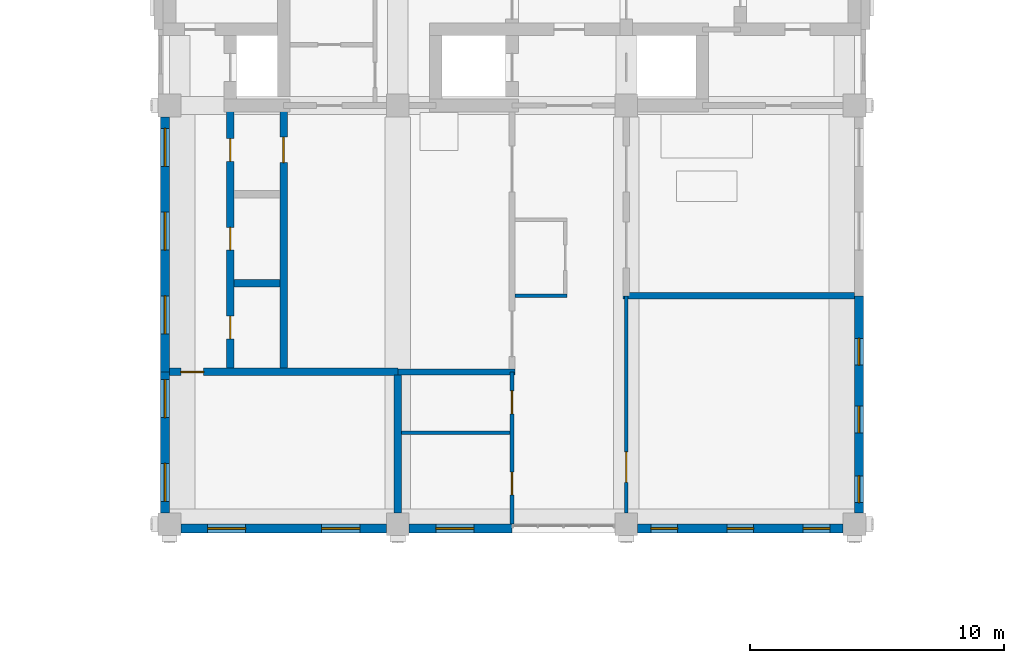
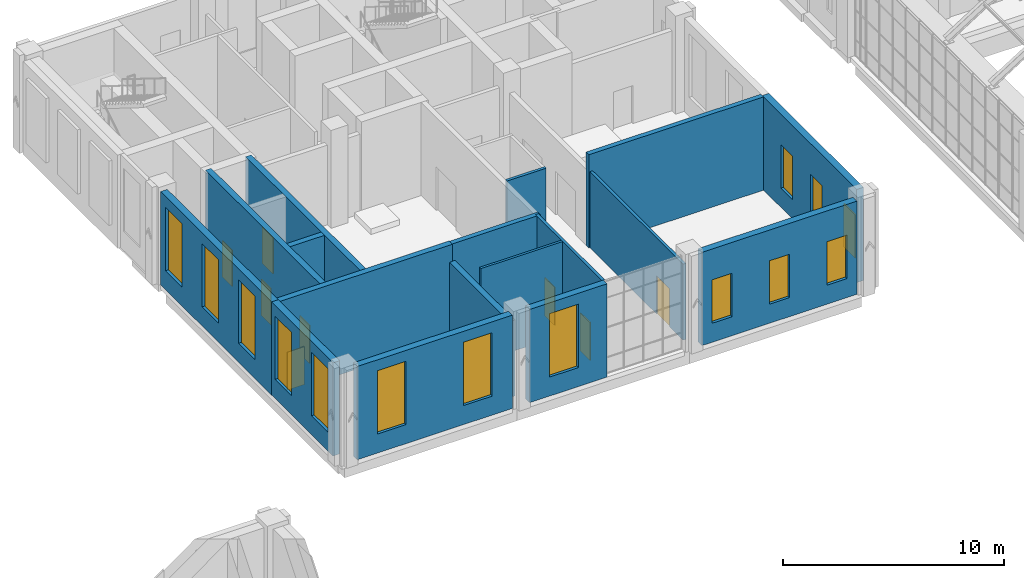
# One storey, part 27 of 39: 17 walls, 14 windows, 8 doors, 22 openings.
"""IFC4 building model written with IfcOpenShell, lengths in metres."""

from ifc_helpers import new_model, si_unit, direction, frame, frame_2d, origin, place, context, subcontext, project, spatial, rectangle, extrude, material, layer, layer_set, type_object, element, fill, save


model = new_model("IFC4")

# Units and contexts
model_context = context("Model", 3, precision=1e-05, world=origin(), true_north=direction((0.0, 1.0)))
body_context = subcontext(model_context, "Body", "Model", "MODEL_VIEW")
ifc_project = project(units=[si_unit("LENGTHUNIT", "METRE"), si_unit("AREAUNIT", "SQUARE_METRE"), si_unit("VOLUMEUNIT", "CUBIC_METRE"), si_unit("PLANEANGLEUNIT", "RADIAN"), si_unit("MASSUNIT", "GRAM", prefix="KILO")], contexts=[model_context])

# Site, building, storey
site_placement = place(None, origin())
site = spatial("IfcSite", under=ifc_project, at=site_placement, CompositionType="ELEMENT")
building_placement = place(site_placement, origin())
building = spatial("IfcBuilding", under=site, at=building_placement, Name="Aurelan Courthouse", CompositionType="ELEMENT")
storey_placement = place(building_placement, frame((0.0, 0.0, 28.199951171875)))
storey = spatial("IfcBuildingStorey", under=building, at=storey_placement, Name="L05", CompositionType="ELEMENT", Elevation=28.199951171875)

# Wall
ifc_material_1 = material(Name="Gypsum board on metal studs")
ifc_layer_1 = layer(ifc_material_1, 0.14990234375)
ifc_layer_set_1 = layer_set([ifc_layer_1], Name="Gypsum board on metal studs")
wall_type_1 = type_object("IfcWallType", Name="Corridor partition 150 EI 60", PredefinedType="PARTITIONING", material=ifc_layer_set_1)
wall_1_placement = place(storey_placement, frame((49.625, 46.5, 0.0), z_axis=(0.0, 0.0, 1.0), x_axis=(1.0, 0.0, 0.0)))
element("IfcWall", 1, at=wall_1_placement, inside=storey, type_object=wall_type_1, Name="Corridor partition L05-017", PredefinedType="PARTITIONING", context=body_context, shape_type="SweptSolid", body=[
    extrude(rectangle(XDim=2.050048828125, YDim=0.14990234375, at=frame_2d((1.02490234375, 0.0))), origin(), (0.0, 0.0, 1.0), 5.150146484375),
])

# Wall, openings, doors
wall_2_placement = place(storey_placement, frame((49.5, 37.5, 0.0), z_axis=(0.0, 0.0, 1.0), x_axis=(0.0, 1.0, 0.0)))
wall_2 = element("IfcWall", 2, at=wall_2_placement, inside=storey, type_object=wall_type_1, Name="Corridor partition L05-055", PredefinedType="PARTITIONING", context=body_context, shape_type="SweptSolid", body=[
    extrude(rectangle(XDim=6.0, YDim=0.14990234375, at=frame_2d((3.0, 0.0))), origin(), (0.0, 0.0, 1.0), 5.150146484375),
])
opening_1_placement = place(wall_2_placement, frame((1.14990234375, 0.0, 0.0)))
opening_1 = element("IfcOpeningElement", 3, at=opening_1_placement, cuts=wall_2, Name="Opening D-L05-021", PredefinedType="OPENING", context=body_context, shape_type="SweptSolid", body=[
    extrude(rectangle(XDim=0.89990234375, YDim=2.10009765625, at=frame_2d((0.449951171875, 1.050048828125))), frame((0.0, 0.0849609375, 0.0), z_axis=(0.0, -1.0, 0.0), x_axis=(1.0, 0.0, 0.0)), (0.0, 0.0, 1.0), 0.169921875),
])
opening_2_placement = place(wall_2_placement, frame((4.35009765625, 0.0, 0.0)))
opening_2 = element("IfcOpeningElement", 4, at=opening_2_placement, cuts=wall_2, Name="Opening D-L05-022", PredefinedType="OPENING", context=body_context, shape_type="SweptSolid", body=[
    extrude(rectangle(XDim=0.89990234375, YDim=2.10009765625, at=frame_2d((0.449951171875, 1.050048828125))), frame((0.0, 0.0849609375, 0.0), z_axis=(0.0, -1.0, 0.0), x_axis=(1.0, 0.0, 0.0)), (0.0, 0.0, 1.0), 0.169921875),
])
ifc_material_2 = material(Name="Steel", Category="steel")
door_type_1 = type_object("IfcDoorType", Name="Single door 900 x 2100 FD60", OperationType="SINGLE_SWING_LEFT", PredefinedType="DOOR", material=ifc_material_2)
door_1_placement = place(opening_1_placement, origin())
door_1 = element("IfcDoor", 5, at=door_1_placement, inside=storey, type_object=door_type_1, Name="Single door D-L05-021", OperationType="SINGLE_SWING_LEFT", OverallHeight=2.10009765625, OverallWidth=0.89990234375, PredefinedType="DOOR", context=body_context, shape_type="SweptSolid", body=[
    extrude(rectangle(XDim=0.89990234375, YDim=2.10009765625, at=frame_2d((0.449951171875, 1.050048828125))), frame((0.0, 0.02490234375, 0.0), z_axis=(0.0, -1.0, 0.0), x_axis=(1.0, 0.0, 0.0)), (0.0, 0.0, 1.0), 0.050048828125),
])
fill(opening_1, door_1)
door_2_placement = place(opening_2_placement, origin())
door_2 = element("IfcDoor", 6, at=door_2_placement, inside=storey, type_object=door_type_1, Name="Single door D-L05-022", OperationType="SINGLE_SWING_LEFT", OverallHeight=2.10009765625, OverallWidth=0.89990234375, PredefinedType="DOOR", context=body_context, shape_type="SweptSolid", body=[
    extrude(rectangle(XDim=0.89990234375, YDim=2.10009765625, at=frame_2d((0.449951171875, 1.050048828125))), frame((0.0, 0.02490234375, 0.0), z_axis=(0.0, -1.0, 0.0), x_axis=(1.0, 0.0, 0.0)), (0.0, 0.0, 1.0), 0.050048828125),
])
fill(opening_2, door_2)

# Wall, opening, door
wall_3_placement = place(storey_placement, frame((54.0, 37.949951171875, 0.0), z_axis=(0.0, 0.0, 1.0), x_axis=(0.0, 1.0, 0.0)))
wall_3 = element("IfcWall", 7, at=wall_3_placement, inside=storey, type_object=wall_type_1, Name="Corridor partition L05-058", PredefinedType="PARTITIONING", context=body_context, shape_type="SweptSolid", body=[
    extrude(rectangle(XDim=8.550048828125, YDim=0.14990234375, at=frame_2d((4.27490234375, 0.0))), origin(), (0.0, 0.0, 1.0), 4.199951171875),
])
opening_3_placement = place(wall_3_placement, frame((2.39990234375, 0.0, 0.0), z_axis=(0.0, 0.0, 1.0), x_axis=(-1.0, 0.0, 0.0)))
opening_3 = element("IfcOpeningElement", 8, at=opening_3_placement, cuts=wall_3, Name="Opening D-L05-023", PredefinedType="OPENING", context=body_context, shape_type="SweptSolid", body=[
    extrude(rectangle(XDim=1.199951171875, YDim=2.10009765625, at=frame_2d((0.60009765625, 1.050048828125))), frame((0.0, 0.0849609375, 0.0), z_axis=(0.0, -1.0, 0.0), x_axis=(1.0, 0.0, 0.0)), (0.0, 0.0, 1.0), 0.169921875),
])
door_type_2 = type_object("IfcDoorType", Name="Single door 1200 x 2100 FD60", OperationType="SINGLE_SWING_LEFT", PredefinedType="DOOR", material=ifc_material_2)
door_3_placement = place(opening_3_placement, origin())
door_3 = element("IfcDoor", 9, at=door_3_placement, inside=storey, type_object=door_type_2, Name="Single door D-L05-023", OperationType="SINGLE_SWING_RIGHT", OverallHeight=2.10009765625, OverallWidth=1.199951171875, PredefinedType="DOOR", context=body_context, shape_type="SweptSolid", body=[
    extrude(rectangle(XDim=1.199951171875, YDim=2.10009765625, at=frame_2d((0.60009765625, 1.050048828125))), frame((0.0, 0.02490234375, 0.0), z_axis=(0.0, -1.0, 0.0), x_axis=(1.0, 0.0, 0.0)), (0.0, 0.0, 1.0), 0.050048828125),
])
fill(opening_3, door_3)

# Wall, openings, windows
ifc_material_3 = material(Name="Limestone cladding", Category="masonry")
ifc_layer_2 = layer(ifc_material_3, 0.10009765625, Name="Facing")
ifc_material_4 = material(Name="Ventilated cavity")
ifc_layer_3 = layer(ifc_material_4, 0.02490234375, ventilated=True, Name="Ventilated cavity")
ifc_material_5 = material(Name="Mineral wool insulation")
ifc_layer_4 = layer(ifc_material_5, 0.050048828125, Name="Insulation")
ifc_material_6 = material(Name="Concrete C30", Category="concrete")
ifc_layer_5 = layer(ifc_material_6, 0.175048828125, Name="Structure")
ifc_layer_set_2 = layer_set([ifc_layer_2, ifc_layer_3, ifc_layer_4, ifc_layer_5], Name="Concrete C30")
wall_type_2 = type_object("IfcWallType", Name="Courtroom Block stone-faced wall 350", PredefinedType="SOLIDWALL", material=ifc_layer_set_2)
wall_4_placement = place(storey_placement, frame((36.449951171875, 37.324951171875, 0.0), z_axis=(0.0, 0.0, 1.0), x_axis=(1.0, 0.0, 0.0)))
wall_4 = element("IfcWall", 10, at=wall_4_placement, inside=storey, type_object=wall_type_2, Name="Facade wall FW-V2-L05-001", PredefinedType="SOLIDWALL", context=body_context, shape_type="SweptSolid", body=[
    extrude(rectangle(XDim=8.10009765625, YDim=0.35009765625, at=frame_2d((4.050048828125, 0.0))), origin(), (0.0, 0.0, 1.0), 5.150146484375),
])
opening_4_placement = place(wall_4_placement, frame((1.050048828125, 0.0, 1.050048828125)))
opening_4 = element("IfcOpeningElement", 11, at=opening_4_placement, cuts=wall_4, Name="Opening WN-V2-L05-001", PredefinedType="OPENING", context=body_context, shape_type="SweptSolid", body=[
    extrude(rectangle(XDim=1.5, YDim=3.5, at=frame_2d((0.75, 1.75))), frame((0.0, 0.18505859375, 0.0), z_axis=(0.0, -1.0, 0.0), x_axis=(1.0, 0.0, 0.0)), (0.0, 0.0, 1.0), 0.3701171875),
])
opening_5_placement = place(wall_4_placement, frame((5.550048828125, 0.0, 1.050048828125)))
opening_5 = element("IfcOpeningElement", 12, at=opening_5_placement, cuts=wall_4, Name="Opening WN-V2-L05-002", PredefinedType="OPENING", context=body_context, shape_type="SweptSolid", body=[
    extrude(rectangle(XDim=1.5, YDim=3.5, at=frame_2d((0.75, 1.75))), frame((0.0, 0.18505859375, 0.0), z_axis=(0.0, -1.0, 0.0), x_axis=(1.0, 0.0, 0.0)), (0.0, 0.0, 1.0), 0.3701171875),
])
ifc_material_7 = material(Name="Bronze-finished aluminium and glass", Category="aluminium")
window_type_1 = type_object("IfcWindowType", Name="Courtroom Block glazed slot 1500 x 3500, sill 1050", PartitioningType="SINGLE_PANEL", PredefinedType="WINDOW", material=ifc_material_7)
window_1_placement = place(opening_4_placement, origin())
window_1 = element("IfcWindow", 13, at=window_1_placement, inside=storey, type_object=window_type_1, Name="Glazed slot WN-V2-L05-001", OverallHeight=3.5, OverallWidth=1.5, PartitioningType="SINGLE_PANEL", PredefinedType="WINDOW", context=body_context, shape_type="SweptSolid", body=[
    extrude(rectangle(XDim=1.5, YDim=3.5, at=frame_2d((0.75, 1.75))), frame((0.0, 0.030029296875, 0.0), z_axis=(0.0, -1.0, 0.0), x_axis=(1.0, 0.0, 0.0)), (0.0, 0.0, 1.0), 0.06005859375),
])
fill(opening_4, window_1)
window_2_placement = place(opening_5_placement, origin())
window_2 = element("IfcWindow", 14, at=window_2_placement, inside=storey, type_object=window_type_1, Name="Glazed slot WN-V2-L05-002", OverallHeight=3.5, OverallWidth=1.5, PartitioningType="SINGLE_PANEL", PredefinedType="WINDOW", context=body_context, shape_type="SweptSolid", body=[
    extrude(rectangle(XDim=1.5, YDim=3.5, at=frame_2d((0.75, 1.75))), frame((0.0, 0.030029296875, 0.0), z_axis=(0.0, -1.0, 0.0), x_axis=(1.0, 0.0, 0.0)), (0.0, 0.0, 1.0), 0.06005859375),
])
fill(opening_5, window_2)

# Wall, opening, window
wall_5_placement = place(storey_placement, frame((45.449951171875, 37.324951171875, 0.0), z_axis=(0.0, 0.0, 1.0), x_axis=(1.0, 0.0, 0.0)))
wall_5 = element("IfcWall", 15, at=wall_5_placement, inside=storey, type_object=wall_type_2, Name="Facade wall FW-V2-L05-002", PredefinedType="SOLIDWALL", context=body_context, shape_type="SweptSolid", body=[
    extrude(rectangle(XDim=4.050048828125, YDim=0.35009765625, at=frame_2d((2.02490234375, 0.0))), origin(), (0.0, 0.0, 1.0), 5.150146484375),
])
opening_6_placement = place(wall_5_placement, frame((1.050048828125, 0.0, 1.050048828125)))
opening_6 = element("IfcOpeningElement", 16, at=opening_6_placement, cuts=wall_5, Name="Opening WN-V2-L05-003", PredefinedType="OPENING", context=body_context, shape_type="SweptSolid", body=[
    extrude(rectangle(XDim=1.5, YDim=3.5, at=frame_2d((0.75, 1.75))), frame((0.0, 0.18505859375, 0.0), z_axis=(0.0, -1.0, 0.0), x_axis=(1.0, 0.0, 0.0)), (0.0, 0.0, 1.0), 0.3701171875),
])
window_3_placement = place(opening_6_placement, origin())
window_3 = element("IfcWindow", 17, at=window_3_placement, inside=storey, type_object=window_type_1, Name="Glazed slot WN-V2-L05-003", OverallHeight=3.5, OverallWidth=1.5, PartitioningType="SINGLE_PANEL", PredefinedType="WINDOW", context=body_context, shape_type="SweptSolid", body=[
    extrude(rectangle(XDim=1.5, YDim=3.5, at=frame_2d((0.75, 1.75))), frame((0.0, 0.030029296875, 0.0), z_axis=(0.0, -1.0, 0.0), x_axis=(1.0, 0.0, 0.0)), (0.0, 0.0, 1.0), 0.06005859375),
])
fill(opening_6, window_3)

# Wall, openings, windows
wall_6_placement = place(storey_placement, frame((54.449951171875, 37.324951171875, 0.0), z_axis=(0.0, 0.0, 1.0), x_axis=(1.0, 0.0, 0.0)))
wall_6 = element("IfcWall", 18, at=wall_6_placement, inside=storey, type_object=wall_type_2, Name="Facade wall FW-V2-L05-003", PredefinedType="SOLIDWALL", context=body_context, shape_type="SweptSolid", body=[
    extrude(rectangle(XDim=8.10009765625, YDim=0.35009765625, at=frame_2d((4.050048828125, 0.0))), origin(), (0.0, 0.0, 1.0), 5.150146484375),
])
opening_7_placement = place(wall_6_placement, frame((0.52490234375, 0.0, 1.050048828125)))
opening_7 = element("IfcOpeningElement", 19, at=opening_7_placement, cuts=wall_6, Name="Opening WN-V2-L05-004", PredefinedType="OPENING", context=body_context, shape_type="SweptSolid", body=[
    extrude(rectangle(XDim=1.050048828125, YDim=2.39990234375, at=frame_2d((0.52490234375, 1.199951171875))), frame((0.0, 0.18505859375, 0.0), z_axis=(0.0, -1.0, 0.0), x_axis=(1.0, 0.0, 0.0)), (0.0, 0.0, 1.0), 0.3701171875),
])
opening_8_placement = place(wall_6_placement, frame((3.52490234375, 0.0, 1.050048828125)))
opening_8 = element("IfcOpeningElement", 20, at=opening_8_placement, cuts=wall_6, Name="Opening WN-V2-L05-005", PredefinedType="OPENING", context=body_context, shape_type="SweptSolid", body=[
    extrude(rectangle(XDim=1.050048828125, YDim=2.39990234375, at=frame_2d((0.52490234375, 1.199951171875))), frame((0.0, 0.18505859375, 0.0), z_axis=(0.0, -1.0, 0.0), x_axis=(1.0, 0.0, 0.0)), (0.0, 0.0, 1.0), 0.3701171875),
])
opening_9_placement = place(wall_6_placement, frame((6.52490234375, 0.0, 1.050048828125)))
opening_9 = element("IfcOpeningElement", 21, at=opening_9_placement, cuts=wall_6, Name="Opening WN-V2-L05-006", PredefinedType="OPENING", context=body_context, shape_type="SweptSolid", body=[
    extrude(rectangle(XDim=1.050048828125, YDim=2.39990234375, at=frame_2d((0.52490234375, 1.199951171875))), frame((0.0, 0.18505859375, 0.0), z_axis=(0.0, -1.0, 0.0), x_axis=(1.0, 0.0, 0.0)), (0.0, 0.0, 1.0), 0.3701171875),
])
window_type_2 = type_object("IfcWindowType", Name="Courtroom Block window 1050 x 2400, sill 1050", PartitioningType="SINGLE_PANEL", PredefinedType="WINDOW", material=ifc_material_7)
window_4_placement = place(opening_7_placement, origin())
window_4 = element("IfcWindow", 22, at=window_4_placement, inside=storey, type_object=window_type_2, Name="Window WN-V2-L05-004", OverallHeight=2.39990234375, OverallWidth=1.050048828125, PartitioningType="SINGLE_PANEL", PredefinedType="WINDOW", context=body_context, shape_type="SweptSolid", body=[
    extrude(rectangle(XDim=1.050048828125, YDim=2.39990234375, at=frame_2d((0.52490234375, 1.199951171875))), frame((0.0, 0.030029296875, 0.0), z_axis=(0.0, -1.0, 0.0), x_axis=(1.0, 0.0, 0.0)), (0.0, 0.0, 1.0), 0.06005859375),
])
fill(opening_7, window_4)
window_5_placement = place(opening_8_placement, origin())
window_5 = element("IfcWindow", 23, at=window_5_placement, inside=storey, type_object=window_type_2, Name="Window WN-V2-L05-005", OverallHeight=2.39990234375, OverallWidth=1.050048828125, PartitioningType="SINGLE_PANEL", PredefinedType="WINDOW", context=body_context, shape_type="SweptSolid", body=[
    extrude(rectangle(XDim=1.050048828125, YDim=2.39990234375, at=frame_2d((0.52490234375, 1.199951171875))), frame((0.0, 0.030029296875, 0.0), z_axis=(0.0, -1.0, 0.0), x_axis=(1.0, 0.0, 0.0)), (0.0, 0.0, 1.0), 0.06005859375),
])
fill(opening_8, window_5)
window_6_placement = place(opening_9_placement, origin())
window_6 = element("IfcWindow", 24, at=window_6_placement, inside=storey, type_object=window_type_2, Name="Window WN-V2-L05-006", OverallHeight=2.39990234375, OverallWidth=1.050048828125, PartitioningType="SINGLE_PANEL", PredefinedType="WINDOW", context=body_context, shape_type="SweptSolid", body=[
    extrude(rectangle(XDim=1.050048828125, YDim=2.39990234375, at=frame_2d((0.52490234375, 1.199951171875))), frame((0.0, 0.030029296875, 0.0), z_axis=(0.0, -1.0, 0.0), x_axis=(1.0, 0.0, 0.0)), (0.0, 0.0, 1.0), 0.06005859375),
])
fill(opening_9, window_6)

wall_7_placement = place(storey_placement, frame((63.175048828125, 37.949951171875, 0.0), z_axis=(0.0, 0.0, 1.0), x_axis=(0.0, 1.0, 0.0)))
wall_7 = element("IfcWall", 25, at=wall_7_placement, inside=storey, type_object=wall_type_2, Name="Facade wall FW-V2-L05-007", PredefinedType="SOLIDWALL", context=body_context, shape_type="SweptSolid", body=[
    extrude(rectangle(XDim=8.550048828125, YDim=0.35009765625, at=frame_2d((4.27490234375, 0.0))), origin(), (0.0, 0.0, 1.0), 5.150146484375),
])
opening_10_placement = place(wall_7_placement, frame((0.39990234375, 0.0, 1.050048828125)))
opening_10 = element("IfcOpeningElement", 26, at=opening_10_placement, cuts=wall_7, Name="Opening WN-V2-L05-009", PredefinedType="OPENING", context=body_context, shape_type="SweptSolid", body=[
    extrude(rectangle(XDim=1.050048828125, YDim=2.39990234375, at=frame_2d((0.52490234375, 1.199951171875))), frame((0.0, 0.18505859375, 0.0), z_axis=(0.0, -1.0, 0.0), x_axis=(1.0, 0.0, 0.0)), (0.0, 0.0, 1.0), 0.3701171875),
])
opening_11_placement = place(wall_7_placement, frame((3.14990234375, 0.0, 1.050048828125)))
opening_11 = element("IfcOpeningElement", 27, at=opening_11_placement, cuts=wall_7, Name="Opening WN-V2-L05-010", PredefinedType="OPENING", context=body_context, shape_type="SweptSolid", body=[
    extrude(rectangle(XDim=1.050048828125, YDim=2.39990234375, at=frame_2d((0.52490234375, 1.199951171875))), frame((0.0, 0.18505859375, 0.0), z_axis=(0.0, -1.0, 0.0), x_axis=(1.0, 0.0, 0.0)), (0.0, 0.0, 1.0), 0.3701171875),
])
opening_12_placement = place(wall_7_placement, frame((5.820068359375, 0.0, 1.050048828125)))
opening_12 = element("IfcOpeningElement", 28, at=opening_12_placement, cuts=wall_7, Name="Opening WN-V2-L05-011", PredefinedType="OPENING", context=body_context, shape_type="SweptSolid", body=[
    extrude(rectangle(XDim=1.050048828125, YDim=2.39990234375, at=frame_2d((0.52490234375, 1.199951171875))), frame((0.0, 0.18505859375, 0.0), z_axis=(0.0, -1.0, 0.0), x_axis=(1.0, 0.0, 0.0)), (0.0, 0.0, 1.0), 0.3701171875),
])
window_7_placement = place(opening_10_placement, origin())
window_7 = element("IfcWindow", 29, at=window_7_placement, inside=storey, type_object=window_type_2, Name="Window WN-V2-L05-009", OverallHeight=2.39990234375, OverallWidth=1.050048828125, PartitioningType="SINGLE_PANEL", PredefinedType="WINDOW", context=body_context, shape_type="SweptSolid", body=[
    extrude(rectangle(XDim=1.050048828125, YDim=2.39990234375, at=frame_2d((0.52490234375, 1.199951171875))), frame((0.0, 0.030029296875, 0.0), z_axis=(0.0, -1.0, 0.0), x_axis=(1.0, 0.0, 0.0)), (0.0, 0.0, 1.0), 0.06005859375),
])
fill(opening_10, window_7)
window_8_placement = place(opening_11_placement, origin())
window_8 = element("IfcWindow", 30, at=window_8_placement, inside=storey, type_object=window_type_2, Name="Window WN-V2-L05-010", OverallHeight=2.39990234375, OverallWidth=1.050048828125, PartitioningType="SINGLE_PANEL", PredefinedType="WINDOW", context=body_context, shape_type="SweptSolid", body=[
    extrude(rectangle(XDim=1.050048828125, YDim=2.39990234375, at=frame_2d((0.52490234375, 1.199951171875))), frame((0.0, 0.030029296875, 0.0), z_axis=(0.0, -1.0, 0.0), x_axis=(1.0, 0.0, 0.0)), (0.0, 0.0, 1.0), 0.06005859375),
])
fill(opening_11, window_8)
window_9_placement = place(opening_12_placement, origin())
window_9 = element("IfcWindow", 31, at=window_9_placement, inside=storey, type_object=window_type_2, Name="Window WN-V2-L05-011", OverallHeight=2.39990234375, OverallWidth=1.050048828125, PartitioningType="SINGLE_PANEL", PredefinedType="WINDOW", context=body_context, shape_type="SweptSolid", body=[
    extrude(rectangle(XDim=1.050048828125, YDim=2.39990234375, at=frame_2d((0.52490234375, 1.199951171875))), frame((0.0, 0.030029296875, 0.0), z_axis=(0.0, -1.0, 0.0), x_axis=(1.0, 0.0, 0.0)), (0.0, 0.0, 1.0), 0.06005859375),
])
fill(opening_12, window_9)

wall_8_placement = place(storey_placement, frame((35.824951171875, 37.949951171875, 0.0), z_axis=(0.0, 0.0, 1.0), x_axis=(0.0, 1.0, 0.0)))
wall_8 = element("IfcWall", 32, at=wall_8_placement, inside=storey, type_object=wall_type_2, Name="Facade wall FW-V2-L05-011", PredefinedType="SOLIDWALL", context=body_context, shape_type="SweptSolid", body=[
    extrude(rectangle(XDim=5.550048828125, YDim=0.35009765625, at=frame_2d((2.77490234375, 0.0))), origin(), (0.0, 0.0, 1.0), 5.150146484375),
])
opening_13_placement = place(wall_8_placement, frame((0.449951171875, 0.0, 1.050048828125)))
opening_13 = element("IfcOpeningElement", 33, at=opening_13_placement, cuts=wall_8, Name="Opening WN-V2-L05-015", PredefinedType="OPENING", context=body_context, shape_type="SweptSolid", body=[
    extrude(rectangle(XDim=1.5, YDim=3.5, at=frame_2d((0.75, 1.75))), frame((0.0, 0.18505859375, 0.0), z_axis=(0.0, -1.0, 0.0), x_axis=(1.0, 0.0, 0.0)), (0.0, 0.0, 1.0), 0.3701171875),
])
opening_14_placement = place(wall_8_placement, frame((3.75, 0.0, 1.050048828125)))
opening_14 = element("IfcOpeningElement", 34, at=opening_14_placement, cuts=wall_8, Name="Opening WN-V2-L05-016", PredefinedType="OPENING", context=body_context, shape_type="SweptSolid", body=[
    extrude(rectangle(XDim=1.5, YDim=3.5, at=frame_2d((0.75, 1.75))), frame((0.0, 0.18505859375, 0.0), z_axis=(0.0, -1.0, 0.0), x_axis=(1.0, 0.0, 0.0)), (0.0, 0.0, 1.0), 0.3701171875),
])
window_10_placement = place(opening_13_placement, origin())
window_10 = element("IfcWindow", 35, at=window_10_placement, inside=storey, type_object=window_type_1, Name="Glazed slot WN-V2-L05-015", OverallHeight=3.5, OverallWidth=1.5, PartitioningType="SINGLE_PANEL", PredefinedType="WINDOW", context=body_context, shape_type="SweptSolid", body=[
    extrude(rectangle(XDim=1.5, YDim=3.5, at=frame_2d((0.75, 1.75))), frame((0.0, 0.030029296875, 0.0), z_axis=(0.0, -1.0, 0.0), x_axis=(1.0, 0.0, 0.0)), (0.0, 0.0, 1.0), 0.06005859375),
])
fill(opening_13, window_10)
window_11_placement = place(opening_14_placement, origin())
window_11 = element("IfcWindow", 36, at=window_11_placement, inside=storey, type_object=window_type_1, Name="Glazed slot WN-V2-L05-016", OverallHeight=3.5, OverallWidth=1.5, PartitioningType="SINGLE_PANEL", PredefinedType="WINDOW", context=body_context, shape_type="SweptSolid", body=[
    extrude(rectangle(XDim=1.5, YDim=3.5, at=frame_2d((0.75, 1.75))), frame((0.0, 0.030029296875, 0.0), z_axis=(0.0, -1.0, 0.0), x_axis=(1.0, 0.0, 0.0)), (0.0, 0.0, 1.0), 0.06005859375),
])
fill(opening_14, window_11)

wall_9_placement = place(storey_placement, frame((35.824951171875, 43.5, 0.0), z_axis=(0.0, 0.0, 1.0), x_axis=(0.0, 1.0, 0.0)))
wall_9 = element("IfcWall", 37, at=wall_9_placement, inside=storey, type_object=wall_type_2, Name="Facade wall FW-V2-L05-012", PredefinedType="SOLIDWALL", context=body_context, shape_type="SweptSolid", body=[
    extrude(rectangle(XDim=10.050048828125, YDim=0.35009765625, at=frame_2d((5.02490234375, 0.0))), origin(), (0.0, 0.0, 1.0), 5.150146484375),
])
opening_15_placement = place(wall_9_placement, frame((1.5, 0.0, 1.050048828125)))
opening_15 = element("IfcOpeningElement", 38, at=opening_15_placement, cuts=wall_9, Name="Opening WN-V2-L05-017", PredefinedType="OPENING", context=body_context, shape_type="SweptSolid", body=[
    extrude(rectangle(XDim=1.5, YDim=3.5, at=frame_2d((0.75, 1.75))), frame((0.0, 0.18505859375, 0.0), z_axis=(0.0, -1.0, 0.0), x_axis=(1.0, 0.0, 0.0)), (0.0, 0.0, 1.0), 0.3701171875),
])
opening_16_placement = place(wall_9_placement, frame((4.800048828125, 0.0, 1.050048828125)))
opening_16 = element("IfcOpeningElement", 39, at=opening_16_placement, cuts=wall_9, Name="Opening WN-V2-L05-018", PredefinedType="OPENING", context=body_context, shape_type="SweptSolid", body=[
    extrude(rectangle(XDim=1.5, YDim=3.5, at=frame_2d((0.75, 1.75))), frame((0.0, 0.18505859375, 0.0), z_axis=(0.0, -1.0, 0.0), x_axis=(1.0, 0.0, 0.0)), (0.0, 0.0, 1.0), 0.3701171875),
])
opening_17_placement = place(wall_9_placement, frame((8.10009765625, 0.0, 1.050048828125)))
opening_17 = element("IfcOpeningElement", 40, at=opening_17_placement, cuts=wall_9, Name="Opening WN-V2-L05-019", PredefinedType="OPENING", context=body_context, shape_type="SweptSolid", body=[
    extrude(rectangle(XDim=1.5, YDim=3.5, at=frame_2d((0.75, 1.75))), frame((0.0, 0.18505859375, 0.0), z_axis=(0.0, -1.0, 0.0), x_axis=(1.0, 0.0, 0.0)), (0.0, 0.0, 1.0), 0.3701171875),
])
window_12_placement = place(opening_15_placement, origin())
window_12 = element("IfcWindow", 41, at=window_12_placement, inside=storey, type_object=window_type_1, Name="Glazed slot WN-V2-L05-017", OverallHeight=3.5, OverallWidth=1.5, PartitioningType="SINGLE_PANEL", PredefinedType="WINDOW", context=body_context, shape_type="SweptSolid", body=[
    extrude(rectangle(XDim=1.5, YDim=3.5, at=frame_2d((0.75, 1.75))), frame((0.0, 0.030029296875, 0.0), z_axis=(0.0, -1.0, 0.0), x_axis=(1.0, 0.0, 0.0)), (0.0, 0.0, 1.0), 0.06005859375),
])
fill(opening_15, window_12)
window_13_placement = place(opening_16_placement, origin())
window_13 = element("IfcWindow", 42, at=window_13_placement, inside=storey, type_object=window_type_1, Name="Glazed slot WN-V2-L05-018", OverallHeight=3.5, OverallWidth=1.5, PartitioningType="SINGLE_PANEL", PredefinedType="WINDOW", context=body_context, shape_type="SweptSolid", body=[
    extrude(rectangle(XDim=1.5, YDim=3.5, at=frame_2d((0.75, 1.75))), frame((0.0, 0.030029296875, 0.0), z_axis=(0.0, -1.0, 0.0), x_axis=(1.0, 0.0, 0.0)), (0.0, 0.0, 1.0), 0.06005859375),
])
fill(opening_16, window_13)
window_14_placement = place(opening_17_placement, origin())
window_14 = element("IfcWindow", 43, at=window_14_placement, inside=storey, type_object=window_type_1, Name="Glazed slot WN-V2-L05-019", OverallHeight=3.5, OverallWidth=1.5, PartitioningType="SINGLE_PANEL", PredefinedType="WINDOW", context=body_context, shape_type="SweptSolid", body=[
    extrude(rectangle(XDim=1.5, YDim=3.5, at=frame_2d((0.75, 1.75))), frame((0.0, 0.030029296875, 0.0), z_axis=(0.0, -1.0, 0.0), x_axis=(1.0, 0.0, 0.0)), (0.0, 0.0, 1.0), 0.06005859375),
])
fill(opening_17, window_14)

# Walls
ifc_material_8 = material(Name="Masonry block", Category="masonry")
ifc_layer_6 = layer(ifc_material_8, 0.25)
ifc_layer_set_3 = layer_set([ifc_layer_6], Name="Masonry block")
wall_type_3 = type_object("IfcWallType", Name="Courtroom wall 250 EI 60", PredefinedType="PARTITIONING", material=ifc_layer_set_3)
wall_10_placement = place(storey_placement, frame((45.0, 43.5, 0.0), z_axis=(0.0, 0.0, 1.0), x_axis=(1.0, 0.0, 0.0)))
element("IfcWall", 44, at=wall_10_placement, inside=storey, type_object=wall_type_3, Name="Courtroom wall L05-016", PredefinedType="PARTITIONING", context=body_context, shape_type="SweptSolid", body=[
    extrude(rectangle(XDim=4.625, YDim=0.25, at=frame_2d((2.3125, 0.0))), origin(), (0.0, 0.0, 1.0), 5.150146484375),
])
wall_11_placement = place(storey_placement, frame((53.875, 46.5, 0.0), z_axis=(0.0, 0.0, 1.0), x_axis=(1.0, 0.0, 0.0)))
element("IfcWall", 45, at=wall_11_placement, inside=storey, type_object=wall_type_3, Name="Courtroom wall L05-018", PredefinedType="PARTITIONING", context=body_context, shape_type="SweptSolid", body=[
    extrude(rectangle(XDim=9.125, YDim=0.25, at=frame_2d((4.5625, 0.0))), origin(), (0.0, 0.0, 1.0), 5.150146484375),
])

# Wall, opening, door
ifc_layer_7 = layer(ifc_material_6, 0.300048828125)
ifc_layer_set_4 = layer_set([ifc_layer_7], Name="Concrete C30")
wall_type_4 = type_object("IfcWallType", Name="Custody wall 300 EI 120", PredefinedType="PARTITIONING", material=ifc_layer_set_4)
wall_12_placement = place(storey_placement, frame((36.0, 43.5, 0.0), z_axis=(0.0, 0.0, 1.0), x_axis=(1.0, 0.0, 0.0)))
wall_12 = element("IfcWall", 46, at=wall_12_placement, inside=storey, type_object=wall_type_4, Name="Custody wall L05-015", PredefinedType="PARTITIONING", context=body_context, shape_type="SweptSolid", body=[
    extrude(rectangle(XDim=9.0, YDim=0.300048828125, at=frame_2d((4.5, 0.0))), origin(), (0.0, 0.0, 1.0), 5.150146484375),
])
opening_18_placement = place(wall_12_placement, frame((1.349853515625, 0.0, 0.0), z_axis=(0.0, 0.0, 1.0), x_axis=(-1.0, 0.0, 0.0)))
opening_18 = element("IfcOpeningElement", 47, at=opening_18_placement, cuts=wall_12, Name="Opening D-L05-016", PredefinedType="OPENING", context=body_context, shape_type="SweptSolid", body=[
    extrude(rectangle(XDim=0.89990234375, YDim=2.10009765625, at=frame_2d((0.449951171875, 1.050048828125))), frame((0.0, 0.159912109375, 0.0), z_axis=(0.0, -1.0, 0.0), x_axis=(1.0, 0.0, 0.0)), (0.0, 0.0, 1.0), 0.320068359375),
])
door_type_3 = type_object("IfcDoorType", Name="Single door 900 x 2100 FD90", OperationType="SINGLE_SWING_LEFT", PredefinedType="DOOR", material=ifc_material_2)
door_4_placement = place(opening_18_placement, origin())
door_4 = element("IfcDoor", 48, at=door_4_placement, inside=storey, type_object=door_type_3, Name="Single door D-L05-016", OperationType="SINGLE_SWING_RIGHT", OverallHeight=2.10009765625, OverallWidth=0.89990234375, PredefinedType="DOOR", context=body_context, shape_type="SweptSolid", body=[
    extrude(rectangle(XDim=0.89990234375, YDim=2.10009765625, at=frame_2d((0.449951171875, 1.050048828125))), frame((0.0, 0.02490234375, 0.0), z_axis=(0.0, -1.0, 0.0), x_axis=(1.0, 0.0, 0.0)), (0.0, 0.0, 1.0), 0.050048828125),
])
fill(opening_18, door_4)

# Wall
wall_13_placement = place(storey_placement, frame((38.550048828125, 47.0, 0.0), z_axis=(0.0, 0.0, 1.0), x_axis=(1.0, 0.0, 0.0)))
element("IfcWall", 49, at=wall_13_placement, inside=storey, type_object=wall_type_4, Name="Custody wall L05-019", PredefinedType="PARTITIONING", context=body_context, shape_type="SweptSolid", body=[
    extrude(rectangle(XDim=1.800048828125, YDim=0.300048828125, at=frame_2d((0.89990234375, 0.0))), origin(), (0.0, 0.0, 1.0), 5.150146484375),
])

# Wall, openings, doors
wall_14_placement = place(storey_placement, frame((38.39990234375, 43.64990234375, 0.0), z_axis=(0.0, 0.0, 1.0), x_axis=(0.0, 1.0, 0.0)))
wall_14 = element("IfcWall", 50, at=wall_14_placement, inside=storey, type_object=wall_type_4, Name="Custody wall L05-050", PredefinedType="PARTITIONING", context=body_context, shape_type="SweptSolid", body=[
    extrude(rectangle(XDim=10.35009765625, YDim=0.300048828125, at=frame_2d((5.175048828125, 0.0))), origin(), (0.0, 0.0, 1.0), 5.150146484375),
])
opening_19_placement = place(wall_14_placement, frame((2.0498046875, 0.0, 0.0), z_axis=(0.0, 0.0, 1.0), x_axis=(-1.0, 0.0, 0.0)))
opening_19 = element("IfcOpeningElement", 51, at=opening_19_placement, cuts=wall_14, Name="Opening D-L05-017", PredefinedType="OPENING", context=body_context, shape_type="SweptSolid", body=[
    extrude(rectangle(XDim=0.89990234375, YDim=2.10009765625, at=frame_2d((0.449951171875, 1.050048828125))), frame((0.0, 0.159912109375, 0.0), z_axis=(0.0, -1.0, 0.0), x_axis=(1.0, 0.0, 0.0)), (0.0, 0.0, 1.0), 0.320068359375),
])
opening_20_placement = place(wall_14_placement, frame((5.5498046875, 0.0, 0.0), z_axis=(0.0, 0.0, 1.0), x_axis=(-1.0, 0.0, 0.0)))
opening_20 = element("IfcOpeningElement", 52, at=opening_20_placement, cuts=wall_14, Name="Opening D-L05-018", PredefinedType="OPENING", context=body_context, shape_type="SweptSolid", body=[
    extrude(rectangle(XDim=0.89990234375, YDim=2.0, at=frame_2d((0.449951171875, 1.0))), frame((0.0, 0.159912109375, 0.0), z_axis=(0.0, -1.0, 0.0), x_axis=(1.0, 0.0, 0.0)), (0.0, 0.0, 1.0), 0.320068359375),
])
opening_21_placement = place(wall_14_placement, frame((9.0498046875, 0.0, 0.0), z_axis=(0.0, 0.0, 1.0), x_axis=(-1.0, 0.0, 0.0)))
opening_21 = element("IfcOpeningElement", 53, at=opening_21_placement, cuts=wall_14, Name="Opening D-L05-019", PredefinedType="OPENING", context=body_context, shape_type="SweptSolid", body=[
    extrude(rectangle(XDim=0.89990234375, YDim=2.0, at=frame_2d((0.449951171875, 1.0))), frame((0.0, 0.159912109375, 0.0), z_axis=(0.0, -1.0, 0.0), x_axis=(1.0, 0.0, 0.0)), (0.0, 0.0, 1.0), 0.320068359375),
])
door_type_4 = type_object("IfcDoorType", Name="Single door 900 x 2000 FD90", OperationType="SINGLE_SWING_LEFT", PredefinedType="DOOR", material=ifc_material_2)
door_5_placement = place(opening_20_placement, origin())
door_5 = element("IfcDoor", 54, at=door_5_placement, inside=storey, type_object=door_type_4, Name="Single door D-L05-018", OperationType="SINGLE_SWING_RIGHT", OverallHeight=2.0, OverallWidth=0.89990234375, PredefinedType="DOOR", context=body_context, shape_type="SweptSolid", body=[
    extrude(rectangle(XDim=0.89990234375, YDim=2.0, at=frame_2d((0.449951171875, 1.0))), frame((0.0, 0.02490234375, 0.0), z_axis=(0.0, -1.0, 0.0), x_axis=(1.0, 0.0, 0.0)), (0.0, 0.0, 1.0), 0.050048828125),
])
fill(opening_20, door_5)
door_6_placement = place(opening_21_placement, origin())
door_6 = element("IfcDoor", 55, at=door_6_placement, inside=storey, type_object=door_type_4, Name="Single door D-L05-019", OperationType="SINGLE_SWING_LEFT", OverallHeight=2.0, OverallWidth=0.89990234375, PredefinedType="DOOR", context=body_context, shape_type="SweptSolid", body=[
    extrude(rectangle(XDim=0.89990234375, YDim=2.0, at=frame_2d((0.449951171875, 1.0))), frame((0.0, 0.02490234375, 0.0), z_axis=(0.0, -1.0, 0.0), x_axis=(1.0, 0.0, 0.0)), (0.0, 0.0, 1.0), 0.050048828125),
])
fill(opening_21, door_6)
door_7_placement = place(opening_19_placement, origin())
door_7 = element("IfcDoor", 56, at=door_7_placement, inside=storey, type_object=door_type_3, Name="Single door D-L05-017", OperationType="SINGLE_SWING_LEFT", OverallHeight=2.10009765625, OverallWidth=0.89990234375, PredefinedType="DOOR", context=body_context, shape_type="SweptSolid", body=[
    extrude(rectangle(XDim=0.89990234375, YDim=2.10009765625, at=frame_2d((0.449951171875, 1.050048828125))), frame((0.0, 0.02490234375, 0.0), z_axis=(0.0, -1.0, 0.0), x_axis=(1.0, 0.0, 0.0)), (0.0, 0.0, 1.0), 0.050048828125),
])
fill(opening_19, door_7)

# Wall, opening, door
wall_15_placement = place(storey_placement, frame((40.5, 43.64990234375, 0.0), z_axis=(0.0, 0.0, 1.0), x_axis=(0.0, 1.0, 0.0)))
wall_15 = element("IfcWall", 57, at=wall_15_placement, inside=storey, type_object=wall_type_4, Name="Custody wall L05-051", PredefinedType="PARTITIONING", context=body_context, shape_type="SweptSolid", body=[
    extrude(rectangle(XDim=10.35009765625, YDim=0.300048828125, at=frame_2d((5.175048828125, 0.0))), origin(), (0.0, 0.0, 1.0), 5.150146484375),
])
opening_22_placement = place(wall_15_placement, frame((9.10009765625, 0.0, 0.0), z_axis=(0.0, 0.0, 1.0), x_axis=(-1.0, 0.0, 0.0)))
opening_22 = element("IfcOpeningElement", 58, at=opening_22_placement, cuts=wall_15, Name="Opening D-L05-020", PredefinedType="OPENING", context=body_context, shape_type="SweptSolid", body=[
    extrude(rectangle(XDim=1.0, YDim=2.0, at=frame_2d((0.5, 1.0))), frame((0.0, 0.159912109375, 0.0), z_axis=(0.0, -1.0, 0.0), x_axis=(1.0, 0.0, 0.0)), (0.0, 0.0, 1.0), 0.320068359375),
])
door_type_5 = type_object("IfcDoorType", Name="Single door 1000 x 2000 FD90", OperationType="SINGLE_SWING_LEFT", PredefinedType="DOOR", material=ifc_material_2)
door_8_placement = place(opening_22_placement, origin())
door_8 = element("IfcDoor", 59, at=door_8_placement, inside=storey, type_object=door_type_5, Name="Single door D-L05-020", OperationType="SINGLE_SWING_LEFT", OverallHeight=2.0, OverallWidth=1.0, PredefinedType="DOOR", context=body_context, shape_type="SweptSolid", body=[
    extrude(rectangle(XDim=1.0, YDim=2.0, at=frame_2d((0.5, 1.0))), frame((0.0, 0.02490234375, 0.0), z_axis=(0.0, -1.0, 0.0), x_axis=(1.0, 0.0, 0.0)), (0.0, 0.0, 1.0), 0.050048828125),
])
fill(opening_22, door_8)

# Walls
wall_16_placement = place(storey_placement, frame((45.0, 37.949951171875, 0.0), z_axis=(0.0, 0.0, 1.0), x_axis=(0.0, 1.0, 0.0)))
element("IfcWall", 60, at=wall_16_placement, inside=storey, type_object=wall_type_4, Name="Custody wall L05-053", PredefinedType="PARTITIONING", context=body_context, shape_type="SweptSolid", body=[
    extrude(rectangle(XDim=5.425048828125, YDim=0.300048828125, at=frame_2d((2.71240234375, 0.0))), origin(), (0.0, 0.0, 1.0), 4.199951171875),
])
ifc_material_9 = material(Name="Moisture-resistant board on metal studs")
ifc_layer_8 = layer(ifc_material_9, 0.125)
ifc_layer_set_5 = layer_set([ifc_layer_8], Name="Moisture-resistant board on metal studs")
wall_type_5 = type_object("IfcWallType", Name="Wet-area partition 125 NOT RATED", PredefinedType="PARTITIONING", material=ifc_layer_set_5)
wall_17_placement = place(storey_placement, frame((45.14990234375, 41.10009765625, 0.0), z_axis=(0.0, 0.0, 1.0), x_axis=(1.0, 0.0, 0.0)))
element("IfcWall", 61, at=wall_17_placement, inside=storey, type_object=wall_type_5, Name="Wet-area partition L05-014", PredefinedType="PARTITIONING", context=body_context, shape_type="SweptSolid", body=[
    extrude(rectangle(XDim=4.275146484375, YDim=0.125, at=frame_2d((2.1376953125, 0.0))), origin(), (0.0, 0.0, 1.0), 5.150146484375),
])

save(model, "model.ifc")
